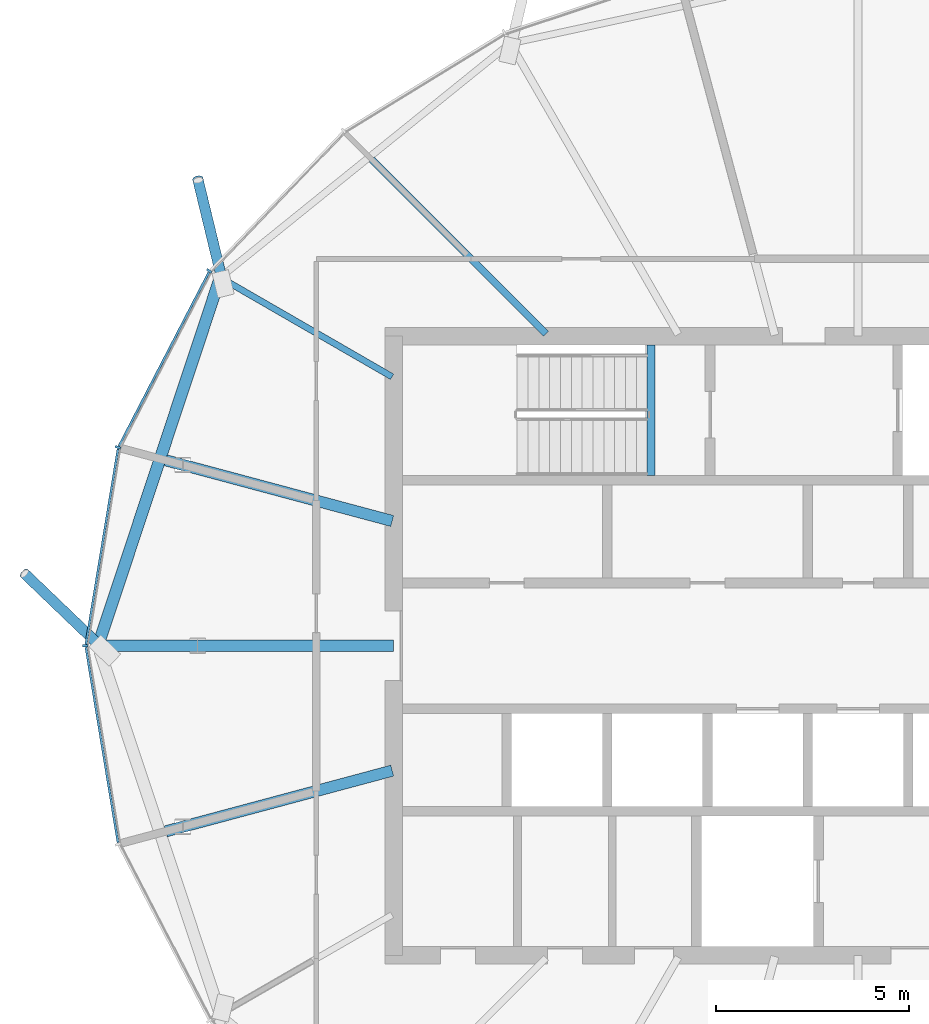
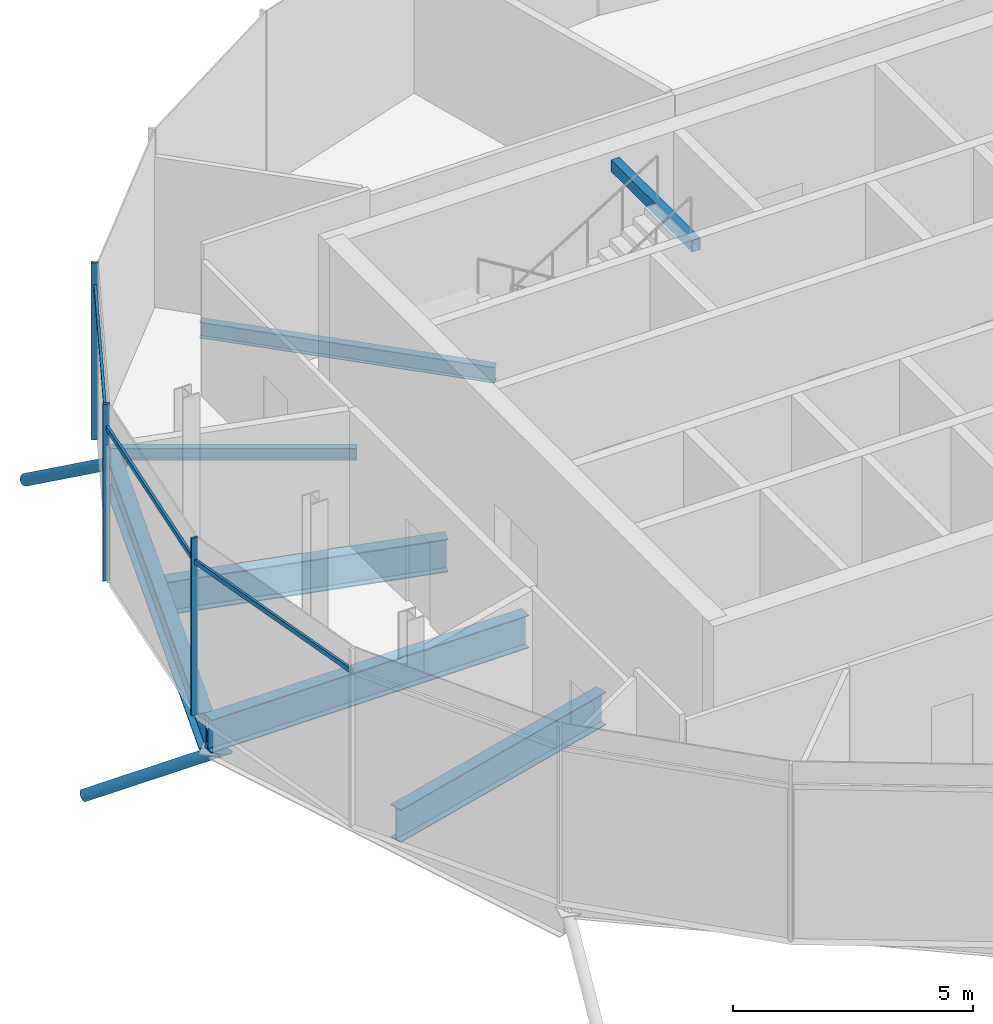
# One storey, part 5 of 31: 8 members, 7 beams, 1 element without a shape of its own.
"""IFC4 building model written with IfcOpenShell, lengths in metres."""

from ifc_helpers import new_model, si_unit, direction, frame, origin, origin_2d, place, context, subcontext, project, spatial, rectangle, hollow_rectangle, hollow_circle, i_section, extrude, clip, halfspace, material, material_profile, profile_set, type_object, element, aggregate, save


model = new_model("IFC4")

# Units and contexts
model_context = context("Model", 3, precision=1e-05, world=origin(), true_north=direction((0.0, 1.0)))
body_context = subcontext(model_context, "Body", "Model", "MODEL_VIEW")
ifc_project = project(units=[si_unit("LENGTHUNIT", "METRE"), si_unit("AREAUNIT", "SQUARE_METRE"), si_unit("VOLUMEUNIT", "CUBIC_METRE"), si_unit("PLANEANGLEUNIT", "RADIAN"), si_unit("MASSUNIT", "GRAM", prefix="KILO")], contexts=[model_context])

# Site, building, storey
site_placement = place(None, origin())
site = spatial("IfcSite", under=ifc_project, at=site_placement, CompositionType="ELEMENT")
building_placement = place(site_placement, origin())
building = spatial("IfcBuilding", under=site, at=building_placement, Name="Rimbun Link Towers", CompositionType="ELEMENT")
storey_placement = place(building_placement, frame((0.0, 0.0, 263.10009765625)))
storey = spatial("IfcBuildingStorey", under=building, at=storey_placement, Name="L64", CompositionType="ELEMENT", Elevation=263.10009765625)

# Curtain wall, members
ifc_material_1 = material(Name="Aluminium 6063-T6 and low-iron glass", Category="aluminium")
curtain_wall_type = type_object("IfcCurtainWallType", Name="CW5 full height lobby wall", PredefinedType="NOTDEFINED", material=ifc_material_1)
curtain_wall_placement = place(storey_placement, origin())
curtain_wall = element("IfcCurtainWall", 1, at=curtain_wall_placement, inside=storey, type_object=curtain_wall_type, Name="CW5 L64 T1", PredefinedType="NOTDEFINED")
ifc_material_2 = material(Name="Aluminium 6063-T6", Category="aluminium")
ifc_material_profile_1 = material_profile(ifc_material_2, rectangle(XDim=0.14990234375, YDim=0.06005859375, at=origin_2d()), Name="MULLION 60X150")
ifc_profile_set_1 = profile_set([ifc_material_profile_1], Name="Aluminium 6063-T6")
member_type_1 = type_object("IfcMemberType", Name="CW5 mullion 60X150", PredefinedType="MULLION", material=ifc_profile_set_1)
member_1_placement = place(storey_placement, frame((-48.518310546875, 9.689697265625, 0.0), z_axis=(0.0, 0.0, 1.0), x_axis=(-0.813349912025, 0.581774802315, 0.0)))
member_1 = element("IfcMember", 2, at=member_1_placement, type_object=member_type_1, Name="CW5 mullion", PredefinedType="MULLION", context=body_context, shape_type="SweptSolid", body=[
    extrude(rectangle(XDim=0.14990234375, YDim=0.06005859375, at=origin_2d()), origin(), (0.0, 0.0, 1.0), 4.5),
])
member_2_placement = place(storey_placement, frame((-50.877685546875, 5.1298828125, 0.0), z_axis=(0.0, 0.0, 1.0), x_axis=(-0.949163280594, 0.314784159024, 0.0)))
member_2 = element("IfcMember", 3, at=member_2_placement, type_object=member_type_1, Name="CW5 mullion", PredefinedType="MULLION", context=body_context, shape_type="SweptSolid", body=[
    extrude(rectangle(XDim=0.14990234375, YDim=0.06005859375, at=origin_2d()), origin(), (0.0, 0.0, 1.0), 4.5),
])
member_3_placement = place(storey_placement, frame((-51.720947265625, 0.0, 0.0), z_axis=(0.0, 0.0, 1.0), x_axis=(-1.0, 0.0, 0.0)))
member_3 = element("IfcMember", 4, at=member_3_placement, type_object=member_type_1, Name="CW5 mullion", PredefinedType="MULLION", context=body_context, shape_type="SweptSolid", body=[
    extrude(rectangle(XDim=0.14990234375, YDim=0.06005859375, at=origin_2d()), origin(), (0.0, 0.0, 1.0), 4.5),
])
ifc_material_3 = material(Name="Aluminium 6063-T6", Category="aluminium")
ifc_material_profile_2 = material_profile(ifc_material_3, rectangle(XDim=0.06005859375, YDim=0.1201171875, at=origin_2d()), Name="TRANSOM 60X120")
ifc_profile_set_2 = profile_set([ifc_material_profile_2], Name="Aluminium 6063-T6")
member_type_2 = type_object("IfcMemberType", Name="CW5 transom 60X120", PredefinedType="USERDEFINED", material=ifc_profile_set_2)
member_4_placement = place(storey_placement, frame((-50.84765625, 5.161376953125, 3.89990234375), z_axis=(0.459524155552, 0.888165272043, 0.0), x_axis=(-0.888165272043, 0.459524155552, 0.0)))
member_4 = element("IfcMember", 5, at=member_4_placement, type_object=member_type_2, Name="CW5 transom", ObjectType="TRANSOM", PredefinedType="USERDEFINED", context=body_context, shape_type="SweptSolid", body=[
    extrude(rectangle(XDim=0.06005859375, YDim=0.1201171875, at=origin_2d()), origin(), (0.0, 0.0, 1.0), 5.051513671875),
])
member_5_placement = place(storey_placement, frame((-51.702392578125, 0.03955078125, 3.89990234375), z_axis=(0.162239069432, 0.986751480541, 0.0), x_axis=(-0.986751480541, 0.162239069432, 0.0)))
member_5 = element("IfcMember", 6, at=member_5_placement, type_object=member_type_2, Name="CW5 transom", ObjectType="TRANSOM", PredefinedType="USERDEFINED", context=body_context, shape_type="SweptSolid", body=[
    extrude(rectangle(XDim=0.06005859375, YDim=0.1201171875, at=origin_2d()), origin(), (0.0, 0.0, 1.0), 5.114990234375),
])
member_6_placement = place(storey_placement, frame((-50.87255859375, -5.086669921875, 3.89990234375), z_axis=(-0.162239069432, 0.986751480541, 0.0), x_axis=(-0.986751480541, -0.162239069432, 0.0)))
member_6 = element("IfcMember", 7, at=member_6_placement, type_object=member_type_2, Name="CW5 transom", ObjectType="TRANSOM", PredefinedType="USERDEFINED", context=body_context, shape_type="SweptSolid", body=[
    extrude(rectangle(XDim=0.06005859375, YDim=0.1201171875, at=origin_2d()), origin(), (0.0, 0.0, 1.0), 5.114990234375),
])
aggregate(curtain_wall, [member_1, member_2, member_3, member_4, member_5, member_6])

# Members
ifc_material_4 = material(Name="Steel S355J2H", Category="steel")
ifc_material_profile_3 = material_profile(ifc_material_4, hollow_circle(Radius=0.136474609375, WallThickness=0.012451171875, at=origin_2d()), Name="CHS 273x12.5")
ifc_profile_set_3 = profile_set([ifc_material_profile_3], Name="Steel S355J2H")
member_type_3 = type_object("IfcMemberType", Name="Floor edge link CHS 273x12.5", PredefinedType="BRACE", material=ifc_profile_set_3)
member_7_placement = place(storey_placement, frame((-48.191162109375, 9.4921875, -0.5966796875), z_axis=(-0.195148833283, 0.80738046711, -0.556824670966), x_axis=(-0.97200969757, -0.234940732588, 0.0)))
element("IfcMember", 8, at=member_7_placement, inside=storey, type_object=member_type_3, Name="Floor edge link T1 L64 10", PredefinedType="BRACE", context=body_context, shape_type="Clipping", body=[
    clip(extrude(hollow_circle(Radius=0.136474609375, WallThickness=0.012451171875, at=origin_2d()), frame((0.0, 0.0, -0.42529296875)), (0.0, 0.0, 1.0), 3.615478515625), halfspace(frame((0.0, 0.0, -0.19970703125), z_axis=(0.0, 0.830630053515, -0.556824670966)), False)),
])
member_8_placement = place(storey_placement, frame((-51.342529296875, 0.0, -1.139892578125), z_axis=(-0.629972642294, 0.604378040925, -0.487710624867), x_axis=(-0.692295916443, -0.721613722206, 0.0)))
element("IfcMember", 9, at=member_8_placement, inside=storey, type_object=member_type_3, Name="Floor edge link T1 L64 12", PredefinedType="BRACE", context=body_context, shape_type="Clipping", body=[
    clip(extrude(hollow_circle(Radius=0.136474609375, WallThickness=0.012451171875, at=origin_2d()), frame((0.0, 0.0, -0.509033203125)), (0.0, 0.0, 1.0), 3.61865234375), halfspace(frame((0.0, 0.0, -0.239990234375), z_axis=(0.0, 0.873005353014, -0.487710624867)), False)),
])

# Beams
ifc_material_5 = material(Name="Steel S355J2", Category="steel")
ifc_material_profile_4 = material_profile(ifc_material_5, hollow_rectangle(XDim=0.199951171875, YDim=0.300048828125, WallThickness=0.011962890625, at=origin_2d()), Name="BOX 300x200x12")
ifc_profile_set_4 = profile_set([ifc_material_profile_4], Name="Steel S355J2")
beam_type_1 = type_object("IfcBeamType", Name="Stair trimmer beam BOX 300x200x12", PredefinedType="BEAM", material=ifc_profile_set_4)
beam_1_placement = place(storey_placement, frame((-37.10009765625, 7.77490234375, 4.14990234375), z_axis=(0.0, -1.0, 0.0), x_axis=(1.0, 0.0, 0.0)))
element("IfcBeam", 10, at=beam_1_placement, inside=storey, type_object=beam_type_1, Name="L64 ST1 stair beam 1", PredefinedType="BEAM", context=body_context, shape_type="SweptSolid", body=[
    extrude(hollow_rectangle(XDim=0.199951171875, YDim=0.300048828125, WallThickness=0.011962890625, at=origin_2d()), origin(), (0.0, 0.0, 1.0), 3.375),
])
ifc_material_6 = material(Name="Steel S355J2", Category="steel")
ifc_material_profile_5 = material_profile(ifc_material_6, i_section(OverallWidth=0.1650390625, OverallDepth=0.303466796875, WebThickness=0.006103515625, FlangeThickness=0.01025390625, at=origin_2d()), Name="UB 305x165x40")
ifc_profile_set_5 = profile_set([ifc_material_profile_5], Name="Steel S355J2")
beam_type_2 = type_object("IfcBeamType", Name="UB 305x165x40", PredefinedType="BEAM", material=ifc_profile_set_5)
beam_2_placement = place(storey_placement, frame((-43.7919921875, 6.952392578125, -0.331787109375), z_axis=(-0.866026286796, 0.499998470576, 0.0), x_axis=(-0.499998470576, -0.866026286796, 0.0)))
element("IfcBeam", 11, at=beam_2_placement, inside=storey, type_object=beam_type_2, Name="Radial beam T1 L64 10", PredefinedType="BEAM", context=body_context, shape_type="SweptSolid", body=[
    extrude(i_section(OverallWidth=0.1650390625, OverallDepth=0.303466796875, WebThickness=0.006103515625, FlangeThickness=0.01025390625, at=origin_2d()), origin(), (0.0, 0.0, 1.0), 5.1298828125),
])
ifc_material_7 = material(Name="Steel S355J2", Category="steel")
ifc_material_profile_6 = material_profile(ifc_material_7, i_section(OverallWidth=0.177978515625, OverallDepth=0.406494140625, WebThickness=0.0078125, FlangeThickness=0.0126953125, at=origin_2d()), Name="UB 406x178x60")
ifc_profile_set_6 = profile_set([ifc_material_profile_6], Name="Steel S355J2")
beam_type_3 = type_object("IfcBeamType", Name="UB 406x178x60", PredefinedType="BEAM", material=ifc_profile_set_6)
beam_3_placement = place(storey_placement, frame((-39.813720703125, 8.063720703125, -0.38330078125), z_axis=(-0.707106781187, 0.707106781187, 0.0), x_axis=(-0.707106781187, -0.707106781187, 0.0)))
element("IfcBeam", 12, at=beam_3_placement, inside=storey, type_object=beam_type_3, Name="Radial beam T1 L64 09", PredefinedType="BEAM", context=body_context, shape_type="SweptSolid", body=[
    extrude(i_section(OverallWidth=0.177978515625, OverallDepth=0.406494140625, WebThickness=0.0078125, FlangeThickness=0.0126953125, at=origin_2d()), origin(), (0.0, 0.0, 1.0), 6.366455078125),
])
ifc_material_8 = material(Name="Steel S355J2", Category="steel")
ifc_material_profile_7 = material_profile(ifc_material_8, i_section(OverallWidth=0.29248046875, OverallDepth=0.8408203125, WebThickness=0.0126953125, FlangeThickness=0.021728515625, at=origin_2d()), Name="UB 838x292x194")
ifc_profile_set_7 = profile_set([ifc_material_profile_7], Name="Steel S355J2")
beam_type_4 = type_object("IfcBeamType", Name="UB 838x292x194", PredefinedType="BEAM", material=ifc_profile_set_7)
beam_4_placement = place(storey_placement, frame((-43.788818359375, 3.225830078125, -0.600341796875), z_axis=(-0.965922504625, 0.258831441404, 0.0), x_axis=(-0.258831441404, -0.965922504625, 0.0)))
element("IfcBeam", 13, at=beam_4_placement, inside=storey, type_object=beam_type_4, Name="Radial beam T1 L64 11", PredefinedType="BEAM", context=body_context, shape_type="SweptSolid", body=[
    extrude(i_section(OverallWidth=0.29248046875, OverallDepth=0.8408203125, WebThickness=0.0126953125, FlangeThickness=0.021728515625, at=origin_2d()), origin(), (0.0, 0.0, 1.0), 6.0576171875),
])
beam_5_placement = place(storey_placement, frame((-43.7509765625, 0.0, -0.600341796875), z_axis=(-1.0, 0.0, 0.0), x_axis=(0.0, -1.0, 0.0)))
element("IfcBeam", 14, at=beam_5_placement, inside=storey, type_object=beam_type_4, Name="Radial beam T1 L64 12", PredefinedType="BEAM", context=body_context, shape_type="SweptSolid", body=[
    extrude(i_section(OverallWidth=0.29248046875, OverallDepth=0.8408203125, WebThickness=0.0126953125, FlangeThickness=0.021728515625, at=origin_2d()), origin(), (0.0, 0.0, 1.0), 7.6416015625),
])
beam_6_placement = place(storey_placement, frame((-43.788818359375, -3.225830078125, -0.600341796875), z_axis=(-0.965922504625, -0.258831441404, 0.0), x_axis=(0.258831441404, -0.965922504625, 0.0)))
element("IfcBeam", 15, at=beam_6_placement, inside=storey, type_object=beam_type_4, Name="Radial beam T1 L64 13", PredefinedType="BEAM", context=body_context, shape_type="SweptSolid", body=[
    extrude(i_section(OverallWidth=0.29248046875, OverallDepth=0.8408203125, WebThickness=0.0126953125, FlangeThickness=0.021728515625, at=origin_2d()), origin(), (0.0, 0.0, 1.0), 6.0576171875),
])
ifc_material_9 = material(Name="Steel S355J2", Category="steel")
ifc_material_profile_8 = material_profile(ifc_material_9, i_section(OverallWidth=0.305419921875, OverallDepth=0.91845703125, WebThickness=0.017333984375, FlangeThickness=0.02783203125, at=origin_2d()), Name="UB 914x305x253")
ifc_profile_set_8 = profile_set([ifc_material_profile_8], Name="Steel S355J2")
beam_type_5 = type_object("IfcBeamType", Name="UB 914x305x253", PredefinedType="BEAM", material=ifc_profile_set_8)
beam_7_placement = place(storey_placement, frame((-48.26123046875, 9.436279296875, -0.639404296875), z_axis=(-0.314955287819, -0.949106509658, 0.0), x_axis=(0.949106509658, -0.314955287819, 0.0)))
element("IfcBeam", 16, at=beam_7_placement, inside=storey, type_object=beam_type_5, Name="Edge beam T1 L64 10-12", PredefinedType="BEAM", context=body_context, shape_type="SweptSolid", body=[
    extrude(i_section(OverallWidth=0.305419921875, OverallDepth=0.91845703125, WebThickness=0.017333984375, FlangeThickness=0.02783203125, at=origin_2d()), origin(), (0.0, 0.0, 1.0), 9.787109375),
])

save(model, "model.ifc")
